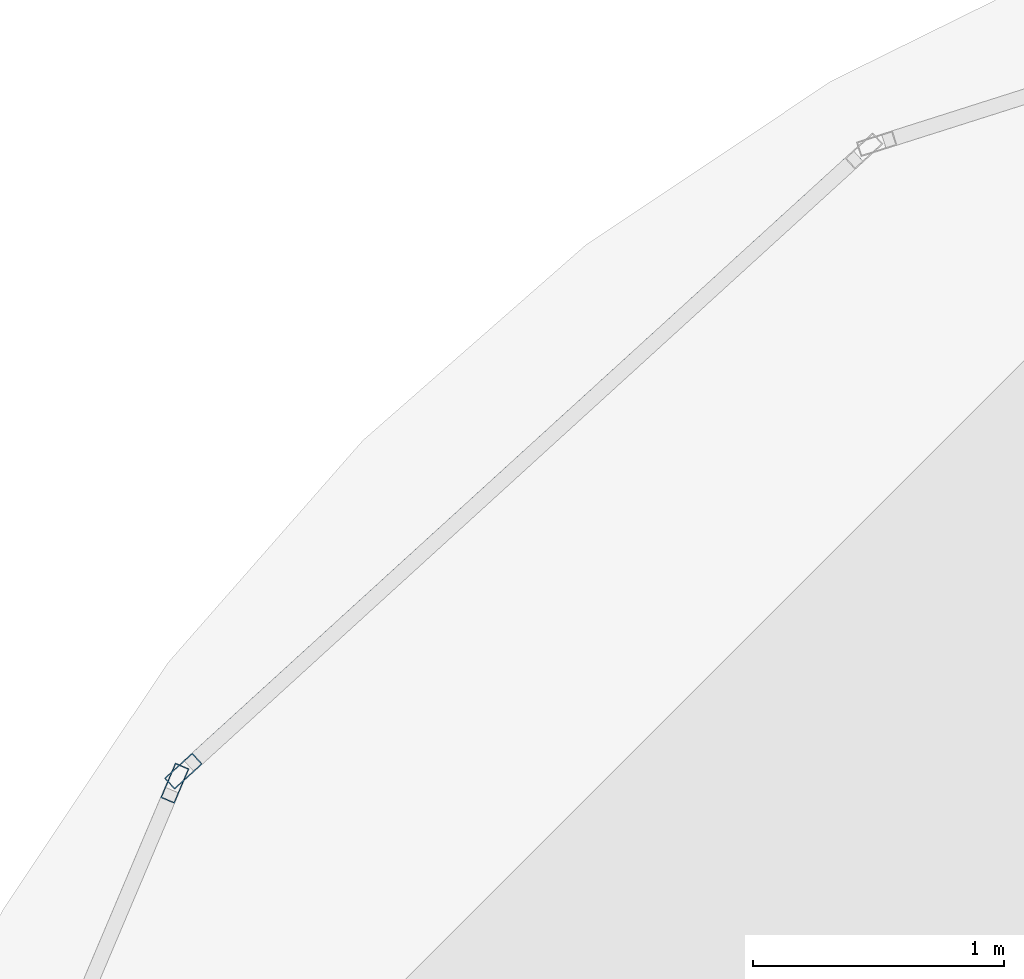
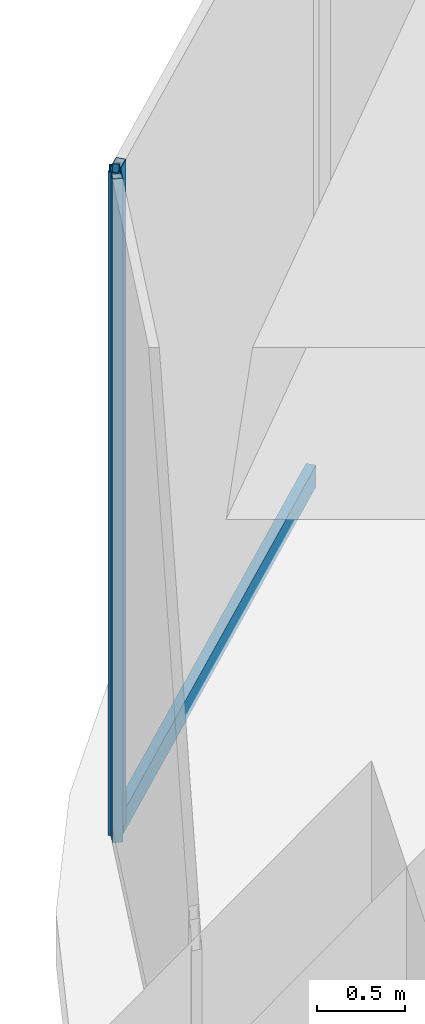
# One storey, part 18 of 32: 3 members, 2 elements without a shape of their own.
"""IFC4 building model written with IfcOpenShell, lengths in metres."""

from ifc_helpers import new_model, si_unit, direction, frame, origin, origin_2d, place, context, subcontext, project, spatial, hollow_rectangle, extrude, material, material_profile, profile_set, type_object, element, aggregate, save


model = new_model("IFC4")

# Units and contexts
model_context = context("Model", 3, precision=1e-05, world=origin(), true_north=direction((0.0, 1.0)))
body_context = subcontext(model_context, "Body", "Model", "MODEL_VIEW")
ifc_project = project(units=[si_unit("LENGTHUNIT", "METRE"), si_unit("AREAUNIT", "SQUARE_METRE"), si_unit("VOLUMEUNIT", "CUBIC_METRE"), si_unit("PLANEANGLEUNIT", "RADIAN"), si_unit("MASSUNIT", "GRAM", prefix="KILO")], contexts=[model_context])

# Site, building, storey
site_placement = place(None, origin())
site = spatial("IfcSite", under=ifc_project, at=site_placement, CompositionType="ELEMENT")
building_placement = place(site_placement, origin())
building = spatial("IfcBuilding", under=site, at=building_placement, Name="Zorevar Civic Tower", CompositionType="ELEMENT")
storey_placement = place(building_placement, frame((0.0, 0.0, 234.39990234375)))
storey = spatial("IfcBuildingStorey", under=building, at=storey_placement, Name="L57", CompositionType="ELEMENT", Elevation=234.39990234375)

# Curtain wall, member
ifc_material_1 = material(Name="Black aluminium louvres", Category="aluminium")
curtain_wall_type = type_object("IfcCurtainWallType", Name="Louvred curtain wall CW6 refuge", PredefinedType="NOTDEFINED", material=ifc_material_1)
curtain_wall_1_placement = place(storey_placement, origin())
curtain_wall_1 = element("IfcCurtainWall", 1, at=curtain_wall_1_placement, inside=storey, type_object=curtain_wall_type, Name="CW6 L57", PredefinedType="NOTDEFINED")
ifc_material_2 = material(Name="Aluminium, black anodised", Category="aluminium")
ifc_material_profile_1 = material_profile(ifc_material_2, hollow_rectangle(XDim=0.06005859375, YDim=0.14990234375, WallThickness=0.00390625, at=origin_2d()), Name="AL 150x60x4")
ifc_profile_set_1 = profile_set([ifc_material_profile_1], Name="Aluminium, black anodised")
member_type_1 = type_object("IfcMemberType", Name="CW6 mullion AL 150x60x4", PredefinedType="MULLION", material=ifc_profile_set_1)
member_1_placement = place(storey_placement, frame((1.92236328125, 41.04833984375, 0.0), z_axis=(0.0, 0.0, 1.0), x_axis=(0.673532686252, -0.739157439623, 0.0)))
member_1 = element("IfcMember", 2, at=member_1_placement, type_object=member_type_1, Name="CW6 mullion 2", PredefinedType="MULLION", context=body_context, shape_type="SweptSolid", body=[
    extrude(hollow_rectangle(XDim=0.06005859375, YDim=0.14990234375, WallThickness=0.00390625, at=origin_2d()), origin(), (0.0, 0.0, 1.0), 4.60009765625),
])

curtain_wall_2_placement = place(storey_placement, origin())
curtain_wall_2 = element("IfcCurtainWall", 3, at=curtain_wall_2_placement, inside=storey, type_object=curtain_wall_type, Name="CW6 L57", PredefinedType="NOTDEFINED")
member_2_placement = place(storey_placement, frame((1.888427734375, 41.00048828125, 0.0), z_axis=(0.0, 0.0, 1.0), x_axis=(0.920829589054, -0.389965213734, 0.0)))
member_2 = element("IfcMember", 4, at=member_2_placement, type_object=member_type_1, Name="CW6 mullion 1", PredefinedType="MULLION", context=body_context, shape_type="SweptSolid", body=[
    extrude(hollow_rectangle(XDim=0.06005859375, YDim=0.14990234375, WallThickness=0.00390625, at=origin_2d()), origin(), (0.0, 0.0, 1.0), 4.60009765625),
])
aggregate(curtain_wall_2, [member_2])

# Member
ifc_material_3 = material(Name="Aluminium, black anodised", Category="aluminium")
ifc_material_profile_2 = material_profile(ifc_material_3, hollow_rectangle(XDim=0.06005859375, YDim=0.14990234375, WallThickness=0.00390625, at=origin_2d()), Name="AL 150x60x4")
ifc_profile_set_2 = profile_set([ifc_material_profile_2], Name="Aluminium, black anodised")
member_type_2 = type_object("IfcMemberType", Name="CW6 transom AL 150x60x4", PredefinedType="USERDEFINED", material=ifc_profile_set_2)
member_3_placement = place(storey_placement, frame((4.607666015625, 43.4951171875, 0.030029296875), z_axis=(-0.739176095334, -0.673512212278, 0.0), x_axis=(0.673512212278, -0.739176095334, 0.0)))
member_3 = element("IfcMember", 5, at=member_3_placement, type_object=member_type_2, Name="CW6 sill transom", ObjectType="TRANSOM", PredefinedType="USERDEFINED", context=body_context, shape_type="SweptSolid", body=[
    extrude(hollow_rectangle(XDim=0.06005859375, YDim=0.14990234375, WallThickness=0.00390625, at=origin_2d()), origin(), (0.0, 0.0, 1.0), 3.602783203125),
])

aggregate(curtain_wall_1, [member_1, member_3])

save(model, "model.ifc")
